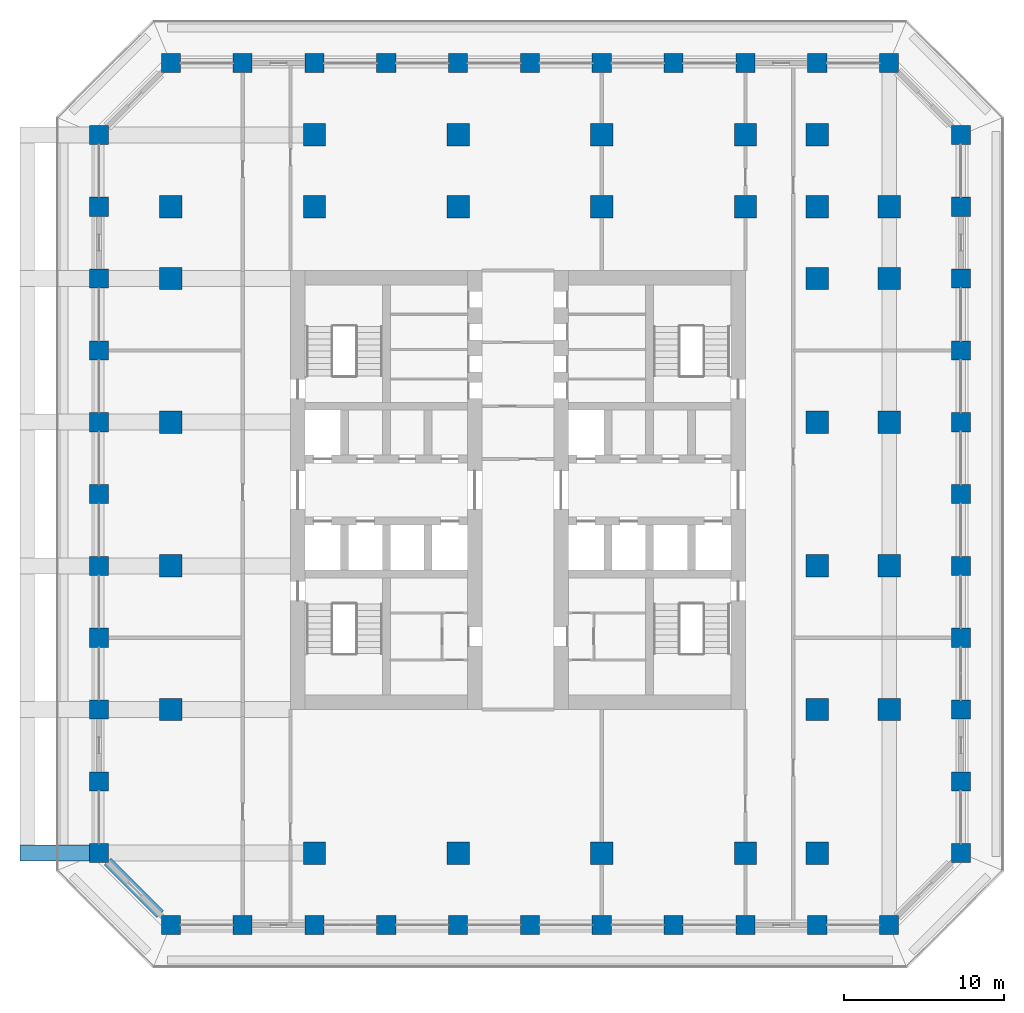
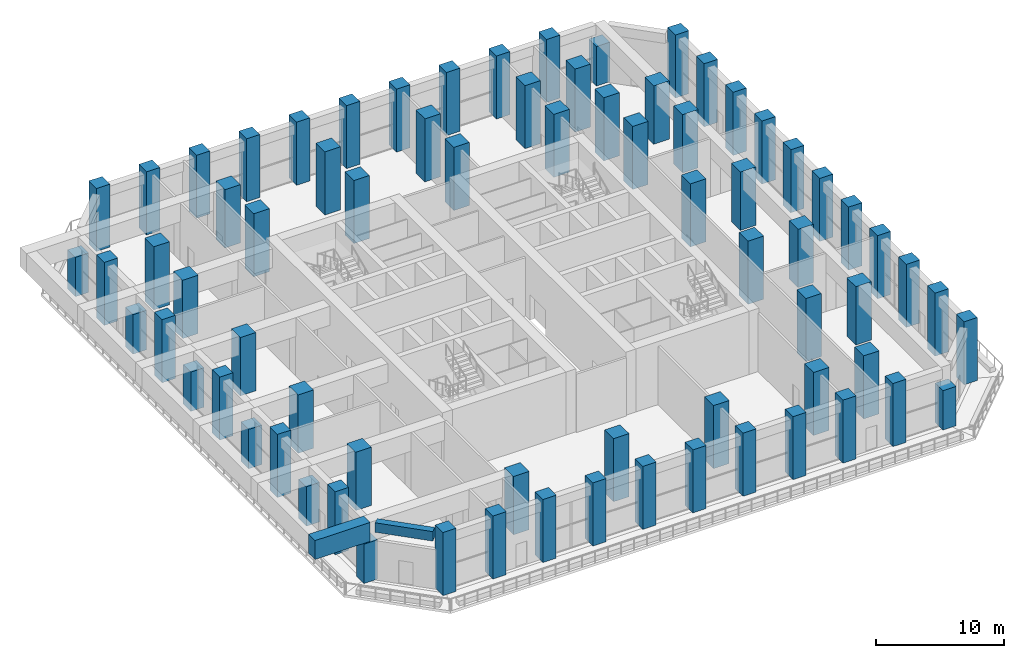
# One storey, part 1 of 24: 73 columns, 2 beams.
"""IFC4 building model written with IfcOpenShell, lengths in metres."""

from ifc_helpers import new_model, si_unit, direction, frame, origin, origin_2d, place, context, subcontext, project, spatial, rectangle, extrude, material, material_profile, profile_set, type_object, element, save


model = new_model("IFC4")

# Units and contexts
model_context = context("Model", 3, precision=1e-05, world=origin(), true_north=direction((0.0, 1.0)))
body_context = subcontext(model_context, "Body", "Model", "MODEL_VIEW")
ifc_project = project(units=[si_unit("LENGTHUNIT", "METRE"), si_unit("AREAUNIT", "SQUARE_METRE"), si_unit("VOLUMEUNIT", "CUBIC_METRE"), si_unit("PLANEANGLEUNIT", "RADIAN"), si_unit("MASSUNIT", "GRAM", prefix="KILO")], contexts=[model_context])

# Site, building, storey
site_placement = place(None, origin())
site = spatial("IfcSite", under=ifc_project, at=site_placement, CompositionType="ELEMENT")
building_placement = place(site_placement, origin())
building = spatial("IfcBuilding", under=site, at=building_placement, Name="Corbel Stack Research Tower", CompositionType="ELEMENT")
storey_placement = place(building_placement, frame((0.0, 0.0, 110.699951171875)))
storey = spatial("IfcBuildingStorey", under=building, at=storey_placement, Name="L25", CompositionType="ELEMENT", Elevation=110.699951171875)

# Columns
ifc_material_1 = material(Name="Concrete C70/85", Category="concrete")
ifc_material_profile_1 = material_profile(ifc_material_1, rectangle(XDim=1.199951171875, YDim=1.199951171875, at=origin_2d()), Name="RC 1200 x 1200")
ifc_profile_set_1 = profile_set([ifc_material_profile_1], Name="Concrete C70/85")
column_type_1 = type_object("IfcColumnType", Name="C-1200-70", PredefinedType="COLUMN", material=ifc_profile_set_1)
for number, where, z_axis, x_axis, name in (
    (1, (-22.5, -13.5, 0.0), (0.0, 0.0, 1.0), (1.0, 0.0, 0.0), "Column 3/E L25"),
    (2, (-22.5, -4.5, 0.0), (0.0, 0.0, 1.0), (1.0, 0.0, 0.0), "Column 3/G L25"),
    (3, (-22.5, 4.5, 0.0), (0.0, 0.0, 1.0), (1.0, 0.0, 0.0), "Column 3/J L25"),
    (4, (-22.5, 13.5, 0.0), (0.0, 0.0, 1.0), (1.0, 0.0, 0.0), "Column 3/L L25"),
    (5, (-22.5, 22.5, 0.0), (0.0, 0.0, 1.0), (1.0, 0.0, 0.0), "Column 3/N L25"),
    (6, (-18.0, -22.5, 0.0), (0.0, 0.0, 1.0), (1.0, 0.0, 0.0), "Column 4/C L25"),
    (7, (-18.0, 31.5, 0.0), (0.0, 0.0, 1.0), (1.0, 0.0, 0.0), "Column 4/Q L25"),
    (8, (-13.5, -22.5, 0.0), (0.0, 0.0, 1.0), (1.0, 0.0, 0.0), "Column 5/C L25"),
    (9, (-13.5, 31.5, 0.0), (0.0, 0.0, 1.0), (1.0, 0.0, 0.0), "Column 5/Q L25"),
    (10, (-9.0, -22.5, 0.0), (0.0, 0.0, 1.0), (1.0, 0.0, 0.0), "Column 6/C L25"),
    (11, (-9.0, 31.5, 0.0), (0.0, 0.0, 1.0), (1.0, 0.0, 0.0), "Column 6/Q L25"),
    (12, (-4.5, -22.5, 0.0), (0.0, 0.0, 1.0), (1.0, 0.0, 0.0), "Column 7/C L25"),
    (13, (-4.5, 31.5, 0.0), (0.0, 0.0, 1.0), (1.0, 0.0, 0.0), "Column 7/Q L25"),
    (14, (0.0, -22.5, 0.0), (0.0, 0.0, 1.0), (1.0, 0.0, 0.0), "Column 8/C L25"),
    (15, (0.0, 31.5, 0.0), (0.0, 0.0, 1.0), (1.0, 0.0, 0.0), "Column 8/Q L25"),
    (16, (4.5, -22.5, 0.0), (0.0, 0.0, 1.0), (1.0, 0.0, 0.0), "Column 9/C L25"),
    (17, (4.5, 31.5, 0.0), (0.0, 0.0, 1.0), (1.0, 0.0, 0.0), "Column 9/Q L25"),
    (18, (9.0, -22.5, 0.0), (0.0, 0.0, 1.0), (1.0, 0.0, 0.0), "Column 10/C L25"),
    (19, (9.0, 31.5, 0.0), (0.0, 0.0, 1.0), (1.0, 0.0, 0.0), "Column 10/Q L25"),
    (20, (13.5, -22.5, 0.0), (0.0, 0.0, 1.0), (1.0, 0.0, 0.0), "Column 11/C L25"),
    (21, (13.5, 31.5, 0.0), (0.0, 0.0, 1.0), (1.0, 0.0, 0.0), "Column 11/Q L25"),
    (22, (18.0, -22.5, 0.0), (0.0, 0.0, 1.0), (1.0, 0.0, 0.0), "Column 12/C L25"),
    (23, (18.0, 31.5, 0.0), (0.0, 0.0, 1.0), (1.0, 0.0, 0.0), "Column 12/Q L25"),
    (24, (22.5, -22.5, 0.0), (0.0, 0.0, 1.0), (1.0, 0.0, 0.0), "Column 13/C L25"),
    (25, (22.5, 31.5, 0.0), (0.0, 0.0, 1.0), (1.0, 0.0, 0.0), "Column 13/Q L25"),
    (26, (31.5, -18.0, 0.0), (0.0, 0.0, 1.0), (1.0, 0.0, 0.0), "Column 15/D L25"),
    (27, (31.5, -13.5, 0.0), (0.0, 0.0, 1.0), (1.0, 0.0, 0.0), "Column 15/E L25"),
    (28, (31.5, -9.0, 0.0), (0.0, 0.0, 1.0), (1.0, 0.0, 0.0), "Column 15/F L25"),
    (29, (31.5, -4.5, 0.0), (0.0, 0.0, 1.0), (1.0, 0.0, 0.0), "Column 15/G L25"),
    (30, (31.5, 0.0, 0.0), (0.0, 0.0, 1.0), (1.0, 0.0, 0.0), "Column 15/H L25"),
    (31, (31.5, 4.5, 0.0), (0.0, 0.0, 1.0), (1.0, 0.0, 0.0), "Column 15/J L25"),
    (32, (31.5, 9.0, 0.0), (0.0, 0.0, 1.0), (1.0, 0.0, 0.0), "Column 15/K L25"),
    (33, (31.5, 13.5, 0.0), (0.0, 0.0, 1.0), (1.0, 0.0, 0.0), "Column 15/L L25"),
    (34, (31.5, 18.0, 0.0), (0.0, 0.0, 1.0), (1.0, 0.0, 0.0), "Column 15/M L25"),
    (35, (31.5, 22.5, 0.0), (0.0, 0.0, 1.0), (1.0, 0.0, 0.0), "Column 15/N L25"),
    (36, (31.5, 27.0, 0.0), (0.0, 0.0, 1.0), (1.0, 0.0, 0.0), "Column 15/P L25"),
):
    element("IfcColumn", number, at=place(storey_placement, frame(where, z_axis=z_axis, x_axis=x_axis)), inside=storey, type_object=column_type_1, Name=name, PredefinedType="COLUMN", context=body_context, shape_type="SweptSolid", body=[
        extrude(rectangle(XDim=1.199951171875, YDim=1.199951171875, at=origin_2d()), origin(), (0.0, 0.0, 1.0), 6.0),
    ])
ifc_material_2 = material(Name="Concrete C70/85", Category="concrete")
ifc_material_profile_2 = material_profile(ifc_material_2, rectangle(XDim=1.39990234375, YDim=1.39990234375, at=origin_2d()), Name="RC 1400 x 1400")
ifc_profile_set_2 = profile_set([ifc_material_profile_2], Name="Concrete C70/85")
column_type_2 = type_object("IfcColumnType", Name="C-1400-70", PredefinedType="COLUMN", material=ifc_profile_set_2)
for number, where, z_axis, x_axis, name in (
    (37, (-18.0, 22.5, 0.0), (0.0, 0.0, 1.0), (1.0, 0.0, 0.0), "Column 4/N L25"),
    (38, (-9.0, 22.5, 0.0), (0.0, 0.0, 1.0), (1.0, 0.0, 0.0), "Column 6/N L25"),
    (39, (0.0, -18.0, 0.0), (0.0, 0.0, 1.0), (1.0, 0.0, 0.0), "Column 8/D L25"),
    (40, (0.0, 22.5, 0.0), (0.0, 0.0, 1.0), (1.0, 0.0, 0.0), "Column 8/N L25"),
    (41, (0.0, 27.0, 0.0), (0.0, 0.0, 1.0), (1.0, 0.0, 0.0), "Column 8/P L25"),
    (42, (9.0, -18.0, 0.0), (0.0, 0.0, 1.0), (1.0, 0.0, 0.0), "Column 10/D L25"),
    (43, (9.0, 22.5, 0.0), (0.0, 0.0, 1.0), (1.0, 0.0, 0.0), "Column 10/N L25"),
    (44, (9.0, 27.0, 0.0), (0.0, 0.0, 1.0), (1.0, 0.0, 0.0), "Column 10/P L25"),
    (45, (18.0, -18.0, 0.0), (0.0, 0.0, 1.0), (1.0, 0.0, 0.0), "Column 12/D L25"),
    (46, (18.0, 22.5, 0.0), (0.0, 0.0, 1.0), (1.0, 0.0, 0.0), "Column 12/N L25"),
    (47, (18.0, 27.0, 0.0), (0.0, 0.0, 1.0), (1.0, 0.0, 0.0), "Column 12/P L25"),
    (48, (22.5, -18.0, 0.0), (0.0, 0.0, 1.0), (1.0, 0.0, 0.0), "Column 13/D L25"),
    (49, (22.5, -9.0, 0.0), (0.0, 0.0, 1.0), (1.0, 0.0, 0.0), "Column 13/F L25"),
    (50, (22.5, 0.0, 0.0), (0.0, 0.0, 1.0), (1.0, 0.0, 0.0), "Column 13/H L25"),
    (51, (22.5, 9.0, 0.0), (0.0, 0.0, 1.0), (1.0, 0.0, 0.0), "Column 13/K L25"),
    (52, (22.5, 18.0, 0.0), (0.0, 0.0, 1.0), (1.0, 0.0, 0.0), "Column 13/M L25"),
    (53, (22.5, 22.5, 0.0), (0.0, 0.0, 1.0), (1.0, 0.0, 0.0), "Column 13/N L25"),
    (54, (22.5, 27.0, 0.0), (0.0, 0.0, 1.0), (1.0, 0.0, 0.0), "Column 13/P L25"),
):
    element("IfcColumn", number, at=place(storey_placement, frame(where, z_axis=z_axis, x_axis=x_axis)), inside=storey, type_object=column_type_2, Name=name, PredefinedType="COLUMN", context=body_context, shape_type="SweptSolid", body=[
        extrude(rectangle(XDim=1.39990234375, YDim=1.39990234375, at=origin_2d()), origin(), (0.0, 0.0, 1.0), 6.0),
    ])
ifc_material_3 = material(Name="Concrete C70/85", Category="concrete")
ifc_material_profile_3 = material_profile(ifc_material_3, rectangle(XDim=1.199951171875, YDim=1.199951171875, at=origin_2d()), Name="RC 1200 x 1200")
ifc_profile_set_3 = profile_set([ifc_material_profile_3], Name="Concrete C70/85")
column_type_3 = type_object("IfcColumnType", Name="CG-1200-70-2250", PredefinedType="COLUMN", material=ifc_profile_set_3)
for number, where, z_axis, x_axis, name in (
    (55, (-22.5, -18.0, 0.0), (0.0, 0.0, 1.0), (1.0, 0.0, 0.0), "Column 3/D L25"),
    (56, (-22.5, -9.0, 0.0), (0.0, 0.0, 1.0), (1.0, 0.0, 0.0), "Column 3/F L25"),
    (57, (-22.5, 0.0, 0.0), (0.0, 0.0, 1.0), (1.0, 0.0, 0.0), "Column 3/H L25"),
    (58, (-22.5, 9.0, 0.0), (0.0, 0.0, 1.0), (1.0, 0.0, 0.0), "Column 3/K L25"),
    (59, (-22.5, 18.0, 0.0), (0.0, 0.0, 1.0), (1.0, 0.0, 0.0), "Column 3/M L25"),
    (60, (-22.5, 27.0, 0.0), (0.0, 0.0, 1.0), (1.0, 0.0, 0.0), "Column 3/P L25"),
    (61, (27.0, -22.5, 0.0), (0.0, 0.0, 1.0), (1.0, 0.0, 0.0), "Column 14/C L25"),
    (62, (27.0, 31.5, 0.0), (0.0, 0.0, 1.0), (1.0, 0.0, 0.0), "Column 14/Q L25"),
):
    element("IfcColumn", number, at=place(storey_placement, frame(where, z_axis=z_axis, x_axis=x_axis)), inside=storey, type_object=column_type_3, Name=name, PredefinedType="COLUMN", context=body_context, shape_type="SweptSolid", body=[
        extrude(rectangle(XDim=1.199951171875, YDim=1.199951171875, at=origin_2d()), origin(), (0.0, 0.0, 1.0), 3.75),
    ])
ifc_material_4 = material(Name="Concrete C70/85", Category="concrete")
ifc_material_profile_4 = material_profile(ifc_material_4, rectangle(XDim=1.39990234375, YDim=1.39990234375, at=origin_2d()), Name="RC 1400 x 1400")
ifc_profile_set_4 = profile_set([ifc_material_profile_4], Name="Concrete C70/85")
column_type_4 = type_object("IfcColumnType", Name="CG-1400-70-450", PredefinedType="COLUMN", material=ifc_profile_set_4)
for number, where, z_axis, x_axis, name in (
    (63, (-18.0, -9.0, 0.0), (0.0, 0.0, 1.0), (1.0, 0.0, 0.0), "Column 4/F L25"),
    (64, (-18.0, 0.0, 0.0), (0.0, 0.0, 1.0), (1.0, 0.0, 0.0), "Column 4/H L25"),
    (65, (-18.0, 9.0, 0.0), (0.0, 0.0, 1.0), (1.0, 0.0, 0.0), "Column 4/K L25"),
    (66, (-18.0, 18.0, 0.0), (0.0, 0.0, 1.0), (1.0, 0.0, 0.0), "Column 4/M L25"),
    (67, (-9.0, -18.0, 0.0), (0.0, 0.0, 1.0), (1.0, 0.0, 0.0), "Column 6/D L25"),
    (68, (-9.0, 27.0, 0.0), (0.0, 0.0, 1.0), (1.0, 0.0, 0.0), "Column 6/P L25"),
    (69, (27.0, -9.0, 0.0), (0.0, 0.0, 1.0), (1.0, 0.0, 0.0), "Column 14/F L25"),
    (70, (27.0, 0.0, 0.0), (0.0, 0.0, 1.0), (1.0, 0.0, 0.0), "Column 14/H L25"),
    (71, (27.0, 9.0, 0.0), (0.0, 0.0, 1.0), (1.0, 0.0, 0.0), "Column 14/K L25"),
    (72, (27.0, 18.0, 0.0), (0.0, 0.0, 1.0), (1.0, 0.0, 0.0), "Column 14/M L25"),
    (73, (27.0, 22.5, 0.0), (0.0, 0.0, 1.0), (1.0, 0.0, 0.0), "Column 14/N L25"),
):
    element("IfcColumn", number, at=place(storey_placement, frame(where, z_axis=z_axis, x_axis=x_axis)), inside=storey, type_object=column_type_4, Name=name, PredefinedType="COLUMN", context=body_context, shape_type="SweptSolid", body=[
        extrude(rectangle(XDim=1.39990234375, YDim=1.39990234375, at=origin_2d()), origin(), (0.0, 0.0, 1.0), 5.550048828125),
    ])

# Beams
ifc_material_5 = material(Name="Concrete C60/75", Category="concrete")
ifc_material_profile_5 = material_profile(ifc_material_5, rectangle(XDim=0.60009765625, YDim=0.89990234375, at=origin_2d()), Name="RC 600 x 900")
ifc_profile_set_5 = profile_set([ifc_material_profile_5], Name="Concrete C60/75")
beam_type_1 = type_object("IfcBeamType", Name="SB-600-900-450", PredefinedType="SPANDREL", material=ifc_profile_set_5)
beam_1_placement = place(storey_placement, frame((-21.97216796875, -18.52783203125, 5.10009765625), z_axis=(0.707106781187, -0.707106781187, 0.0), x_axis=(0.707106781187, 0.707106781187, 0.0)))
element("IfcBeam", 74, at=beam_1_placement, inside=storey, type_object=beam_type_1, Name="Spandrel beam L25-44", PredefinedType="SPANDREL", context=body_context, shape_type="SweptSolid", body=[
    extrude(rectangle(XDim=0.60009765625, YDim=0.89990234375, at=origin_2d()), origin(), (0.0, 0.0, 1.0), 4.658935546875),
])
ifc_material_6 = material(Name="Concrete C60/75", Category="concrete")
ifc_material_profile_6 = material_profile(ifc_material_6, rectangle(XDim=1.0, YDim=1.800048828125, at=origin_2d()), Name="RC 1000 x 1800")
ifc_profile_set_6 = profile_set([ifc_material_profile_6], Name="Concrete C60/75")
beam_type_2 = type_object("IfcBeamType", Name="TG-1000-1800", PredefinedType="BEAM", material=ifc_profile_set_6)
beam_2_placement = place(storey_placement, frame((-27.449951171875, -18.0, 4.650146484375), z_axis=(1.0, 0.0, 0.0), x_axis=(0.0, 1.0, 0.0)))
element("IfcBeam", 75, at=beam_2_placement, inside=storey, type_object=beam_type_2, Name="Transfer girder L25 W-18c", PredefinedType="BEAM", context=body_context, shape_type="SweptSolid", body=[
    extrude(rectangle(XDim=1.0, YDim=1.800048828125, at=origin_2d()), origin(), (0.0, 0.0, 1.0), 4.949951171875),
])

save(model, "model.ifc")
